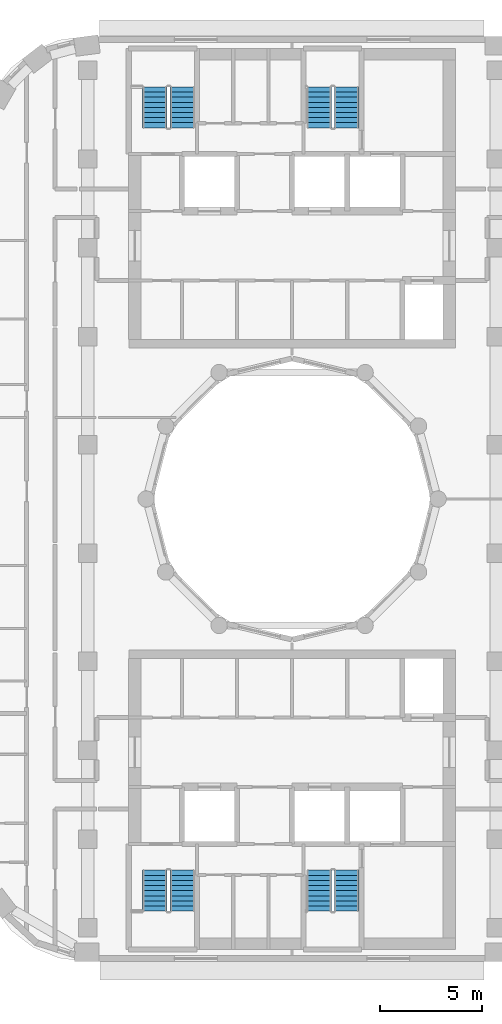
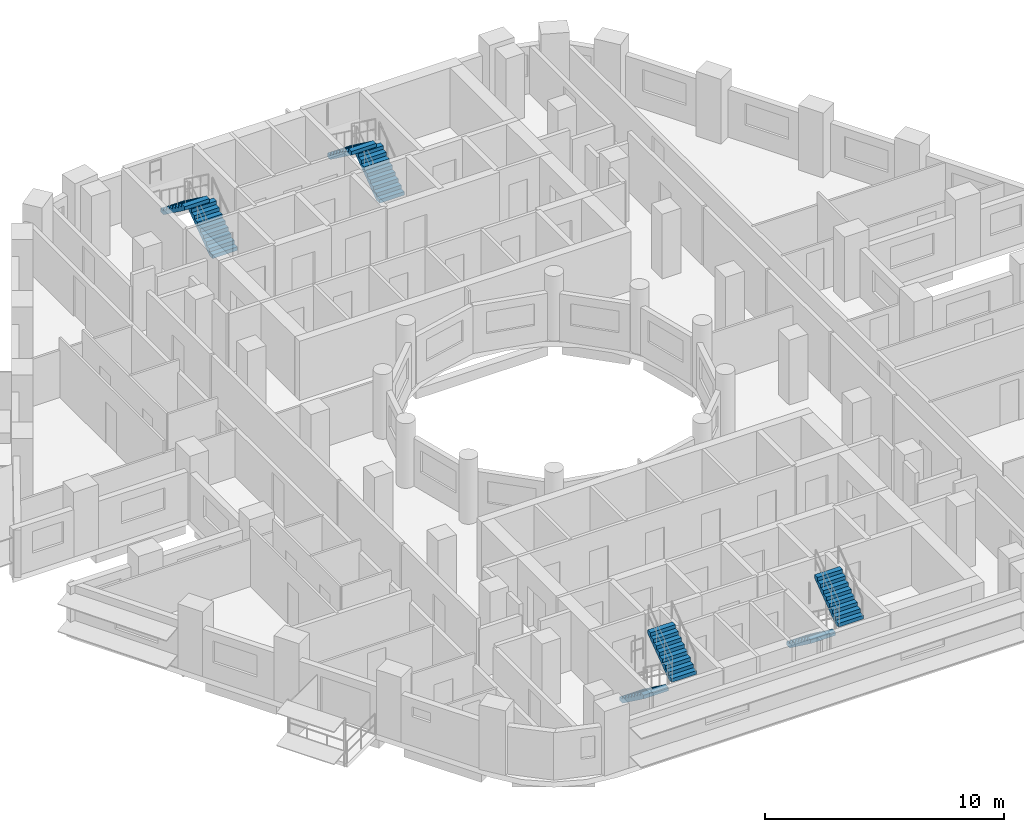
# One storey, part 10 of 17: 8 stair flights, 4 elements without a shape of their own.
"""IFC4 building model written with IfcOpenShell, lengths in metres."""

from ifc_helpers import new_model, si_unit, direction, frame, origin, place, context, subcontext, project, spatial, polyline, outline, extrude, material, type_object, element, aggregate, save


model = new_model("IFC4")

# Units and contexts
model_context = context("Model", 3, precision=1e-05, world=origin(), true_north=direction((0.0, 1.0)))
body_context = subcontext(model_context, "Body", "Model", "MODEL_VIEW")
ifc_project = project(units=[si_unit("LENGTHUNIT", "METRE"), si_unit("AREAUNIT", "SQUARE_METRE"), si_unit("VOLUMEUNIT", "CUBIC_METRE"), si_unit("PLANEANGLEUNIT", "RADIAN"), si_unit("MASSUNIT", "GRAM", prefix="KILO")], contexts=[model_context])

# Site, building, storey
site_placement = place(None, origin())
site = spatial("IfcSite", under=ifc_project, at=site_placement, CompositionType="ELEMENT")
building_placement = place(site_placement, origin())
building = spatial("IfcBuilding", under=site, at=building_placement, Name="Nakaniwa Court", CompositionType="ELEMENT")
storey_placement = place(building_placement, frame((0.0, 0.0, 203.10009765625)))
storey = spatial("IfcBuildingStorey", under=building, at=storey_placement, Name="L53", CompositionType="ELEMENT", Elevation=203.10009765625)

# Stair, stair flights
ifc_material = material(Name="Concrete C80/100", Category="concrete")
stair_type = type_object("IfcStairType", Name="Dog leg stair 1200 wide 18 risers", PredefinedType="HALF_TURN_STAIR", material=ifc_material)
stair_1_placement = place(storey_placement, origin())
stair_1 = element("IfcStair", 1, at=stair_1_placement, inside=storey, type_object=stair_type, Name="L53 Stair ST1", PredefinedType="HALF_TURN_STAIR")
stair_flight_type = type_object("IfcStairFlightType", Name="Stair flight 1200 wide 9 risers", PredefinedType="STRAIGHT", material=ifc_material)
stair_flight_1_placement = place(storey_placement, frame((74.625, 98.175048828125, 0.0), z_axis=(0.0, 0.0, 1.0), x_axis=(0.0, 1.0, 0.0)))
stair_flight_1 = element("IfcStairFlight", 2, at=stair_flight_1_placement, type_object=stair_flight_type, Name="ST1 flight 1", NumberOfRisers=9, NumberOfTreads=8, PredefinedType="STRAIGHT", RiserHeight=0.183333333, TreadLength=0.25, context=body_context, shape_type="SweptSolid", body=[
    extrude(outline(polyline([(0.0, 0.0), (0.0, 0.026123046875), (0.0, 0.052490234375), (0.0, 0.07861328125), (0.0, 0.104736328125), (0.0, 0.130859375), (0.0, 0.1572265625), (0.0, 0.183349609375), (0.25, 0.183349609375), (0.25, 0.36669921875), (0.5, 0.36669921875), (0.5, 0.550048828125), (0.75, 0.550048828125), (0.75, 0.7333984375), (1.0, 0.7333984375), (1.0, 0.916748046875), (1.25, 0.916748046875), (1.25, 1.10009765625), (1.5, 1.10009765625), (1.5, 1.283447265625), (1.75, 1.283447265625), (1.75, 1.466552734375), (2.0, 1.466552734375), (2.0, 1.64990234375), (2.0, 1.59716796875), (2.0, 1.54443359375), (2.0, 1.49169921875), (2.0, 1.43896484375), (2.0, 1.38623046875), (2.0, 1.33349609375), (2.0, 1.28076171875), (0.25341796875, 0.0), (0.0, 0.0)])), frame((0.0, 0.60009765625, 0.0), z_axis=(0.0, -1.0, 0.0), x_axis=(1.0, 0.0, 0.0)), (0.0, 0.0, 1.0), 1.199951171875),
])
stair_flight_2_placement = place(storey_placement, frame((73.27490234375, 100.175048828125, 1.64990234375), z_axis=(0.0, 0.0, 1.0), x_axis=(0.0, -1.0, 0.0)))
stair_flight_2 = element("IfcStairFlight", 3, at=stair_flight_2_placement, type_object=stair_flight_type, Name="ST1 flight 2", NumberOfRisers=9, NumberOfTreads=8, PredefinedType="STRAIGHT", RiserHeight=0.183333333, TreadLength=0.25, context=body_context, shape_type="SweptSolid", body=[
    extrude(outline(polyline([(0.0, 0.0), (0.0, 0.026123046875), (0.0, 0.052490234375), (0.0, 0.07861328125), (0.0, 0.104736328125), (0.0, 0.130859375), (0.0, 0.1572265625), (0.0, 0.183349609375), (0.25, 0.183349609375), (0.25, 0.36669921875), (0.5, 0.36669921875), (0.5, 0.550048828125), (0.75, 0.550048828125), (0.75, 0.7333984375), (1.0, 0.7333984375), (1.0, 0.916748046875), (1.25, 0.916748046875), (1.25, 1.10009765625), (1.5, 1.10009765625), (1.5, 1.283447265625), (1.75, 1.283447265625), (1.75, 1.466552734375), (2.0, 1.466552734375), (2.0, 1.64990234375), (2.0, 1.59716796875), (2.0, 1.54443359375), (2.0, 1.49169921875), (2.0, 1.43896484375), (2.0, 1.38623046875), (2.0, 1.33349609375), (2.0, 1.28076171875), (0.25341796875, 0.0), (0.0, 0.0)])), frame((0.0, 0.60009765625, 0.0), z_axis=(0.0, -1.0, 0.0), x_axis=(1.0, 0.0, 0.0)), (0.0, 0.0, 1.0), 1.199951171875),
])
aggregate(stair_1, [stair_flight_1, stair_flight_2])

stair_2_placement = place(storey_placement, origin())
stair_2 = element("IfcStair", 4, at=stair_2_placement, inside=storey, type_object=stair_type, Name="L53 Stair ST2", PredefinedType="HALF_TURN_STAIR")
stair_flight_3_placement = place(storey_placement, frame((82.675048828125, 98.175048828125, 0.0), z_axis=(0.0, 0.0, 1.0), x_axis=(0.0, 1.0, 0.0)))
stair_flight_3 = element("IfcStairFlight", 5, at=stair_flight_3_placement, type_object=stair_flight_type, Name="ST2 flight 1", NumberOfRisers=9, NumberOfTreads=8, PredefinedType="STRAIGHT", RiserHeight=0.183333333, TreadLength=0.25, context=body_context, shape_type="SweptSolid", body=[
    extrude(outline(polyline([(0.0, 0.0), (0.0, 0.026123046875), (0.0, 0.052490234375), (0.0, 0.07861328125), (0.0, 0.104736328125), (0.0, 0.130859375), (0.0, 0.1572265625), (0.0, 0.183349609375), (0.25, 0.183349609375), (0.25, 0.36669921875), (0.5, 0.36669921875), (0.5, 0.550048828125), (0.75, 0.550048828125), (0.75, 0.7333984375), (1.0, 0.7333984375), (1.0, 0.916748046875), (1.25, 0.916748046875), (1.25, 1.10009765625), (1.5, 1.10009765625), (1.5, 1.283447265625), (1.75, 1.283447265625), (1.75, 1.466552734375), (2.0, 1.466552734375), (2.0, 1.64990234375), (2.0, 1.59716796875), (2.0, 1.54443359375), (2.0, 1.49169921875), (2.0, 1.43896484375), (2.0, 1.38623046875), (2.0, 1.33349609375), (2.0, 1.28076171875), (0.25341796875, 0.0), (0.0, 0.0)])), frame((0.0, 0.60009765625, 0.0), z_axis=(0.0, -1.0, 0.0), x_axis=(1.0, 0.0, 0.0)), (0.0, 0.0, 1.0), 1.199951171875),
])
stair_flight_4_placement = place(storey_placement, frame((81.324951171875, 100.175048828125, 1.64990234375), z_axis=(0.0, 0.0, 1.0), x_axis=(0.0, -1.0, 0.0)))
stair_flight_4 = element("IfcStairFlight", 6, at=stair_flight_4_placement, type_object=stair_flight_type, Name="ST2 flight 2", NumberOfRisers=9, NumberOfTreads=8, PredefinedType="STRAIGHT", RiserHeight=0.183333333, TreadLength=0.25, context=body_context, shape_type="SweptSolid", body=[
    extrude(outline(polyline([(0.0, 0.0), (0.0, 0.026123046875), (0.0, 0.052490234375), (0.0, 0.07861328125), (0.0, 0.104736328125), (0.0, 0.130859375), (0.0, 0.1572265625), (0.0, 0.183349609375), (0.25, 0.183349609375), (0.25, 0.36669921875), (0.5, 0.36669921875), (0.5, 0.550048828125), (0.75, 0.550048828125), (0.75, 0.7333984375), (1.0, 0.7333984375), (1.0, 0.916748046875), (1.25, 0.916748046875), (1.25, 1.10009765625), (1.5, 1.10009765625), (1.5, 1.283447265625), (1.75, 1.283447265625), (1.75, 1.466552734375), (2.0, 1.466552734375), (2.0, 1.64990234375), (2.0, 1.59716796875), (2.0, 1.54443359375), (2.0, 1.49169921875), (2.0, 1.43896484375), (2.0, 1.38623046875), (2.0, 1.33349609375), (2.0, 1.28076171875), (0.25341796875, 0.0), (0.0, 0.0)])), frame((0.0, 0.60009765625, 0.0), z_axis=(0.0, -1.0, 0.0), x_axis=(1.0, 0.0, 0.0)), (0.0, 0.0, 1.0), 1.199951171875),
])
aggregate(stair_2, [stair_flight_3, stair_flight_4])

stair_3_placement = place(storey_placement, origin())
stair_3 = element("IfcStair", 7, at=stair_3_placement, inside=storey, type_object=stair_type, Name="L53 Stair ST3", PredefinedType="HALF_TURN_STAIR")
stair_flight_5_placement = place(storey_placement, frame((73.27490234375, 61.824951171875, 0.0), z_axis=(0.0, 0.0, 1.0), x_axis=(0.0, -1.0, 0.0)))
stair_flight_5 = element("IfcStairFlight", 8, at=stair_flight_5_placement, type_object=stair_flight_type, Name="ST3 flight 1", NumberOfRisers=9, NumberOfTreads=8, PredefinedType="STRAIGHT", RiserHeight=0.183333333, TreadLength=0.25, context=body_context, shape_type="SweptSolid", body=[
    extrude(outline(polyline([(0.0, 0.0), (0.0, 0.026123046875), (0.0, 0.052490234375), (0.0, 0.07861328125), (0.0, 0.104736328125), (0.0, 0.130859375), (0.0, 0.1572265625), (0.0, 0.183349609375), (0.25, 0.183349609375), (0.25, 0.36669921875), (0.5, 0.36669921875), (0.5, 0.550048828125), (0.75, 0.550048828125), (0.75, 0.7333984375), (1.0, 0.7333984375), (1.0, 0.916748046875), (1.25, 0.916748046875), (1.25, 1.10009765625), (1.5, 1.10009765625), (1.5, 1.283447265625), (1.75, 1.283447265625), (1.75, 1.466552734375), (2.0, 1.466552734375), (2.0, 1.64990234375), (2.0, 1.59716796875), (2.0, 1.54443359375), (2.0, 1.49169921875), (2.0, 1.43896484375), (2.0, 1.38623046875), (2.0, 1.33349609375), (2.0, 1.28076171875), (0.25341796875, 0.0), (0.0, 0.0)])), frame((0.0, 0.60009765625, 0.0), z_axis=(0.0, -1.0, 0.0), x_axis=(1.0, 0.0, 0.0)), (0.0, 0.0, 1.0), 1.199951171875),
])
stair_flight_6_placement = place(storey_placement, frame((74.625, 59.824951171875, 1.64990234375), z_axis=(0.0, 0.0, 1.0), x_axis=(0.0, 1.0, 0.0)))
stair_flight_6 = element("IfcStairFlight", 9, at=stair_flight_6_placement, type_object=stair_flight_type, Name="ST3 flight 2", NumberOfRisers=9, NumberOfTreads=8, PredefinedType="STRAIGHT", RiserHeight=0.183333333, TreadLength=0.25, context=body_context, shape_type="SweptSolid", body=[
    extrude(outline(polyline([(0.0, 0.0), (0.0, 0.026123046875), (0.0, 0.052490234375), (0.0, 0.07861328125), (0.0, 0.104736328125), (0.0, 0.130859375), (0.0, 0.1572265625), (0.0, 0.183349609375), (0.25, 0.183349609375), (0.25, 0.36669921875), (0.5, 0.36669921875), (0.5, 0.550048828125), (0.75, 0.550048828125), (0.75, 0.7333984375), (1.0, 0.7333984375), (1.0, 0.916748046875), (1.25, 0.916748046875), (1.25, 1.10009765625), (1.5, 1.10009765625), (1.5, 1.283447265625), (1.75, 1.283447265625), (1.75, 1.466552734375), (2.0, 1.466552734375), (2.0, 1.64990234375), (2.0, 1.59716796875), (2.0, 1.54443359375), (2.0, 1.49169921875), (2.0, 1.43896484375), (2.0, 1.38623046875), (2.0, 1.33349609375), (2.0, 1.28076171875), (0.25341796875, 0.0), (0.0, 0.0)])), frame((0.0, 0.60009765625, 0.0), z_axis=(0.0, -1.0, 0.0), x_axis=(1.0, 0.0, 0.0)), (0.0, 0.0, 1.0), 1.199951171875),
])
aggregate(stair_3, [stair_flight_5, stair_flight_6])

stair_4_placement = place(storey_placement, origin())
stair_4 = element("IfcStair", 10, at=stair_4_placement, inside=storey, type_object=stair_type, Name="L53 Stair ST4", PredefinedType="HALF_TURN_STAIR")
stair_flight_7_placement = place(storey_placement, frame((81.324951171875, 61.824951171875, 0.0), z_axis=(0.0, 0.0, 1.0), x_axis=(0.0, -1.0, 0.0)))
stair_flight_7 = element("IfcStairFlight", 11, at=stair_flight_7_placement, type_object=stair_flight_type, Name="ST4 flight 1", NumberOfRisers=9, NumberOfTreads=8, PredefinedType="STRAIGHT", RiserHeight=0.183333333, TreadLength=0.25, context=body_context, shape_type="SweptSolid", body=[
    extrude(outline(polyline([(0.0, 0.0), (0.0, 0.026123046875), (0.0, 0.052490234375), (0.0, 0.07861328125), (0.0, 0.104736328125), (0.0, 0.130859375), (0.0, 0.1572265625), (0.0, 0.183349609375), (0.25, 0.183349609375), (0.25, 0.36669921875), (0.5, 0.36669921875), (0.5, 0.550048828125), (0.75, 0.550048828125), (0.75, 0.7333984375), (1.0, 0.7333984375), (1.0, 0.916748046875), (1.25, 0.916748046875), (1.25, 1.10009765625), (1.5, 1.10009765625), (1.5, 1.283447265625), (1.75, 1.283447265625), (1.75, 1.466552734375), (2.0, 1.466552734375), (2.0, 1.64990234375), (2.0, 1.59716796875), (2.0, 1.54443359375), (2.0, 1.49169921875), (2.0, 1.43896484375), (2.0, 1.38623046875), (2.0, 1.33349609375), (2.0, 1.28076171875), (0.25341796875, 0.0), (0.0, 0.0)])), frame((0.0, 0.60009765625, 0.0), z_axis=(0.0, -1.0, 0.0), x_axis=(1.0, 0.0, 0.0)), (0.0, 0.0, 1.0), 1.199951171875),
])
stair_flight_8_placement = place(storey_placement, frame((82.675048828125, 59.824951171875, 1.64990234375), z_axis=(0.0, 0.0, 1.0), x_axis=(0.0, 1.0, 0.0)))
stair_flight_8 = element("IfcStairFlight", 12, at=stair_flight_8_placement, type_object=stair_flight_type, Name="ST4 flight 2", NumberOfRisers=9, NumberOfTreads=8, PredefinedType="STRAIGHT", RiserHeight=0.183333333, TreadLength=0.25, context=body_context, shape_type="SweptSolid", body=[
    extrude(outline(polyline([(0.0, 0.0), (0.0, 0.026123046875), (0.0, 0.052490234375), (0.0, 0.07861328125), (0.0, 0.104736328125), (0.0, 0.130859375), (0.0, 0.1572265625), (0.0, 0.183349609375), (0.25, 0.183349609375), (0.25, 0.36669921875), (0.5, 0.36669921875), (0.5, 0.550048828125), (0.75, 0.550048828125), (0.75, 0.7333984375), (1.0, 0.7333984375), (1.0, 0.916748046875), (1.25, 0.916748046875), (1.25, 1.10009765625), (1.5, 1.10009765625), (1.5, 1.283447265625), (1.75, 1.283447265625), (1.75, 1.466552734375), (2.0, 1.466552734375), (2.0, 1.64990234375), (2.0, 1.59716796875), (2.0, 1.54443359375), (2.0, 1.49169921875), (2.0, 1.43896484375), (2.0, 1.38623046875), (2.0, 1.33349609375), (2.0, 1.28076171875), (0.25341796875, 0.0), (0.0, 0.0)])), frame((0.0, 0.60009765625, 0.0), z_axis=(0.0, -1.0, 0.0), x_axis=(1.0, 0.0, 0.0)), (0.0, 0.0, 1.0), 1.199951171875),
])
aggregate(stair_4, [stair_flight_7, stair_flight_8])

save(model, "model.ifc")
